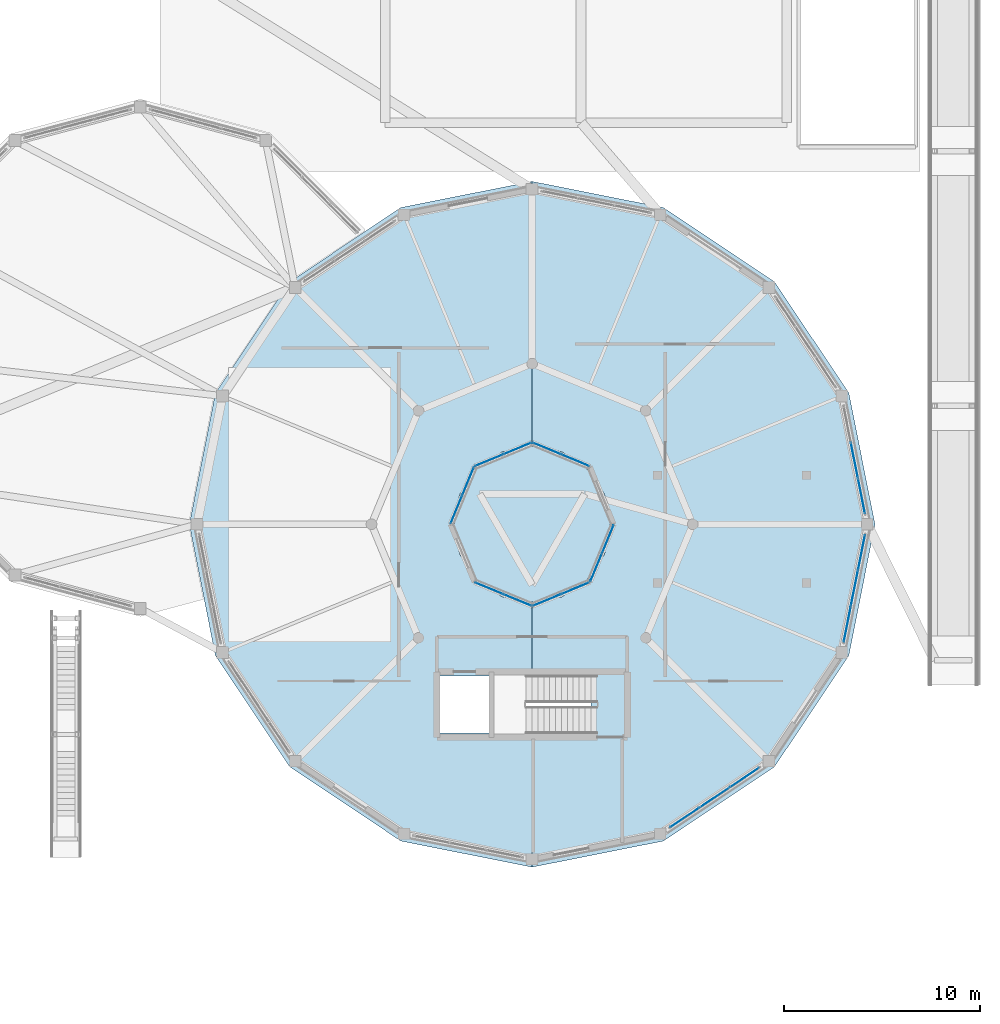
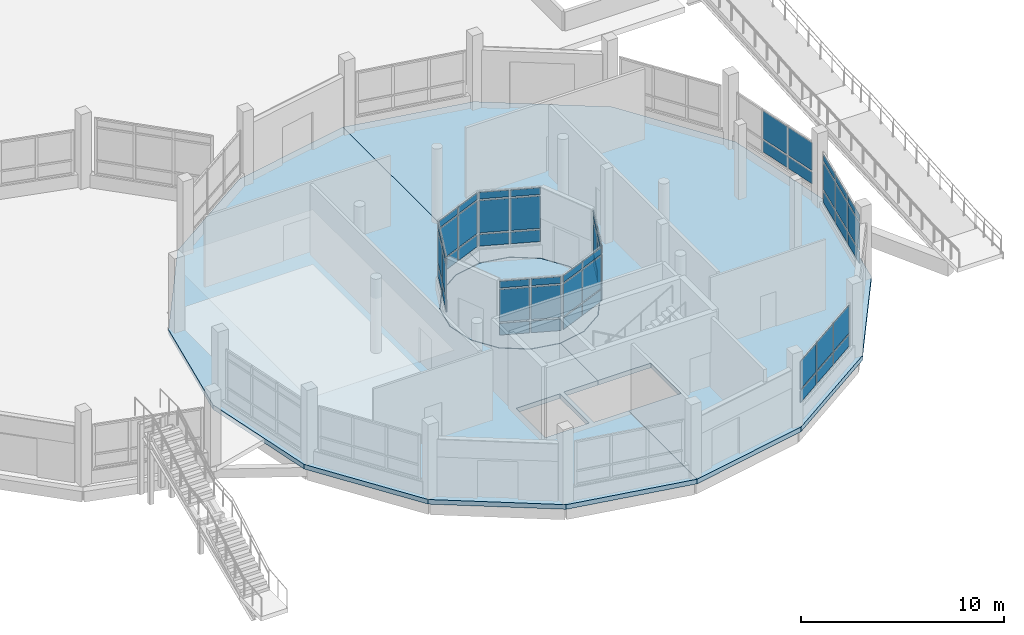
# One storey, part 102 of 129: 55 plates, 3 slabs, 9 elements without a shape of their own.
"""IFC4 building model written with IfcOpenShell, lengths in metres."""

from ifc_helpers import new_model, si_unit, direction, frame, origin, origin_2d, place, context, subcontext, project, spatial, polyline, rectangle, outline, extrude, material, layer, layer_set, type_object, element, aggregate, save


model = new_model("IFC4")

# Units and contexts
model_context = context("Model", 3, precision=1e-05, world=origin(), true_north=direction((0.0, 1.0)))
body_context = subcontext(model_context, "Body", "Model", "MODEL_VIEW")
ifc_project = project(units=[si_unit("LENGTHUNIT", "METRE"), si_unit("AREAUNIT", "SQUARE_METRE"), si_unit("VOLUMEUNIT", "CUBIC_METRE"), si_unit("PLANEANGLEUNIT", "RADIAN"), si_unit("MASSUNIT", "GRAM", prefix="KILO")], contexts=[model_context])

# Site, building, storey
site_placement = place(None, origin())
site = spatial("IfcSite", under=ifc_project, at=site_placement, CompositionType="ELEMENT")
building_placement = place(site_placement, origin())
building = spatial("IfcBuilding", under=site, at=building_placement, Name="Vespera Passage Community Centre", CompositionType="ELEMENT")
storey_placement = place(building_placement, origin())
storey = spatial("IfcBuildingStorey", under=building, at=storey_placement, Name="L00", CompositionType="ELEMENT", Elevation=0.0)

# Curtain wall, plates
ifc_material_1 = material(Name="Anodized aluminium 6063-T6", Category="aluminium")
ifc_layer_1 = layer(ifc_material_1, 0.159912109375)
ifc_layer_set_1 = layer_set([ifc_layer_1], Name="Anodized aluminium 6063-T6")
curtain_wall_type_1 = type_object("IfcCurtainWallType", Name="CW-101E", PredefinedType="NOTDEFINED", material=ifc_layer_set_1)
curtain_wall_1_placement = place(storey_placement, origin())
curtain_wall_1 = element("IfcCurtainWall", 1, at=curtain_wall_1_placement, inside=storey, type_object=curtain_wall_type_1, Name="Dining Drum Ribbon Curtain Wall L00.1", PredefinedType="NOTDEFINED")
ifc_material_2 = material(Name="Low-E insulated vision glass", Category="glass")
ifc_layer_2 = layer(ifc_material_2, 0.02001953125)
ifc_layer_set_2 = layer_set([ifc_layer_2], Name="Low-E insulated vision glass")
plate_type = type_object("IfcPlateType", Name="PL-CWP-20E", PredefinedType="CURTAIN_PANEL", material=ifc_layer_set_2)
plate_1_placement = place(storey_placement, frame((157.44921875, 28.27197265625, 0.89990234375), z_axis=(0.0, 0.0, 1.0), x_axis=(0.195096778691, -0.980783996069, 0.0)))
plate_1 = element("IfcPlate", 2, at=plate_1_placement, type_object=plate_type, Name="CW-101E panel 2.1", PredefinedType="CURTAIN_PANEL", context=body_context, shape_type="SweptSolid", body=[
    extrude(rectangle(XDim=1.82177734375, YDim=0.02001953125, at=origin_2d()), origin(), (0.0, 0.0, 1.0), 0.699951171875),
])
plate_2_placement = place(storey_placement, frame((157.44921875, 28.27197265625, 1.7001953125), z_axis=(0.0, 0.0, 1.0), x_axis=(0.195096778691, -0.980783996069, 0.0)))
plate_2 = element("IfcPlate", 3, at=plate_2_placement, type_object=plate_type, Name="CW-101E panel 2.2", PredefinedType="CURTAIN_PANEL", context=body_context, shape_type="SweptSolid", body=[
    extrude(rectangle(XDim=1.82177734375, YDim=0.02001953125, at=origin_2d()), origin(), (0.0, 0.0, 1.0), 1.675048828125),
])
plate_3_placement = place(storey_placement, frame((157.81396484375, 26.4375, 0.89990234375), z_axis=(0.0, 0.0, 1.0), x_axis=(0.195096778691, -0.980783996069, 0.0)))
plate_3 = element("IfcPlate", 4, at=plate_3_placement, type_object=plate_type, Name="CW-101E panel 3.1", PredefinedType="CURTAIN_PANEL", context=body_context, shape_type="SweptSolid", body=[
    extrude(rectangle(XDim=1.789306640625, YDim=0.02001953125, at=origin_2d()), origin(), (0.0, 0.0, 1.0), 0.699951171875),
])
plate_4_placement = place(storey_placement, frame((157.81396484375, 26.4375, 1.7001953125), z_axis=(0.0, 0.0, 1.0), x_axis=(0.195096778691, -0.980783996069, 0.0)))
plate_4 = element("IfcPlate", 5, at=plate_4_placement, type_object=plate_type, Name="CW-101E panel 3.2", PredefinedType="CURTAIN_PANEL", context=body_context, shape_type="SweptSolid", body=[
    extrude(rectangle(XDim=1.789306640625, YDim=0.02001953125, at=origin_2d()), origin(), (0.0, 0.0, 1.0), 1.675048828125),
])
aggregate(curtain_wall_1, [plate_1, plate_2, plate_3, plate_4])

ifc_material_3 = material(Name="Anodized aluminium 6063-T6", Category="aluminium")
ifc_layer_3 = layer(ifc_material_3, 0.159912109375)
ifc_layer_set_3 = layer_set([ifc_layer_3], Name="Anodized aluminium 6063-T6")
curtain_wall_type_2 = type_object("IfcCurtainWallType", Name="CW-102E", PredefinedType="NOTDEFINED", material=ifc_layer_set_3)
curtain_wall_2_placement = place(storey_placement, origin())
curtain_wall_2 = element("IfcCurtainWall", 6, at=curtain_wall_2_placement, inside=storey, type_object=curtain_wall_type_2, Name="Dining Drum Ribbon Curtain Wall L00.14", PredefinedType="NOTDEFINED")
plate_5_placement = place(storey_placement, frame((151.842529296875, 12.073974609375, 0.89990234375), z_axis=(0.0, 0.0, 1.0), x_axis=(-0.831473308708, -0.555564700918, 0.0)))
plate_5 = element("IfcPlate", 7, at=plate_5_placement, type_object=plate_type, Name="CW-102E panel 1.1", PredefinedType="CURTAIN_PANEL", context=body_context, shape_type="SweptSolid", body=[
    extrude(rectangle(XDim=1.752685546875, YDim=0.02001953125, at=origin_2d()), origin(), (0.0, 0.0, 1.0), 0.699951171875),
])
plate_6_placement = place(storey_placement, frame((151.842529296875, 12.073974609375, 1.7001953125), z_axis=(0.0, 0.0, 1.0), x_axis=(-0.831473308708, -0.555564700918, 0.0)))
plate_6 = element("IfcPlate", 8, at=plate_6_placement, type_object=plate_type, Name="CW-102E panel 1.2", PredefinedType="CURTAIN_PANEL", context=body_context, shape_type="SweptSolid", body=[
    extrude(rectangle(XDim=1.752685546875, YDim=0.02001953125, at=origin_2d()), origin(), (0.0, 0.0, 1.0), 1.675048828125),
])
plate_7_placement = place(storey_placement, frame((150.317626953125, 11.05517578125, 0.89990234375), z_axis=(0.0, 0.0, 1.0), x_axis=(-0.831473308708, -0.555564700918, 0.0)))
plate_7 = element("IfcPlate", 9, at=plate_7_placement, type_object=plate_type, Name="CW-102E panel 2.1", PredefinedType="CURTAIN_PANEL", context=body_context, shape_type="SweptSolid", body=[
    extrude(rectangle(XDim=1.78515625, YDim=0.02001953125, at=origin_2d()), origin(), (0.0, 0.0, 1.0), 0.699951171875),
])
plate_8_placement = place(storey_placement, frame((150.317626953125, 11.05517578125, 1.7001953125), z_axis=(0.0, 0.0, 1.0), x_axis=(-0.831473308708, -0.555564700918, 0.0)))
plate_8 = element("IfcPlate", 10, at=plate_8_placement, type_object=plate_type, Name="CW-102E panel 2.2", PredefinedType="CURTAIN_PANEL", context=body_context, shape_type="SweptSolid", body=[
    extrude(rectangle(XDim=1.78515625, YDim=0.02001953125, at=origin_2d()), origin(), (0.0, 0.0, 1.0), 1.675048828125),
])
plate_9_placement = place(storey_placement, frame((148.79296875, 10.036376953125, 0.89990234375), z_axis=(0.0, 0.0, 1.0), x_axis=(-0.831473308708, -0.555564700918, 0.0)))
plate_9 = element("IfcPlate", 11, at=plate_9_placement, type_object=plate_type, Name="CW-102E panel 3.1", PredefinedType="CURTAIN_PANEL", context=body_context, shape_type="SweptSolid", body=[
    extrude(rectangle(XDim=1.752685546875, YDim=0.02001953125, at=origin_2d()), origin(), (0.0, 0.0, 1.0), 0.699951171875),
])
plate_10_placement = place(storey_placement, frame((148.79296875, 10.036376953125, 1.7001953125), z_axis=(0.0, 0.0, 1.0), x_axis=(-0.831473308708, -0.555564700918, 0.0)))
plate_10 = element("IfcPlate", 12, at=plate_10_placement, type_object=plate_type, Name="CW-102E panel 3.2", PredefinedType="CURTAIN_PANEL", context=body_context, shape_type="SweptSolid", body=[
    extrude(rectangle(XDim=1.752685546875, YDim=0.02001953125, at=origin_2d()), origin(), (0.0, 0.0, 1.0), 1.675048828125),
])
aggregate(curtain_wall_2, [plate_5, plate_6, plate_7, plate_8, plate_9, plate_10])

ifc_material_4 = material(Name="Anodized aluminium 6063-T6", Category="aluminium")
ifc_layer_4 = layer(ifc_material_4, 0.159912109375)
ifc_layer_set_4 = layer_set([ifc_layer_4], Name="Anodized aluminium 6063-T6")
curtain_wall_type_3 = type_object("IfcCurtainWallType", Name="CW-103E", PredefinedType="NOTDEFINED", material=ifc_layer_set_4)
curtain_wall_3_placement = place(storey_placement, origin())
curtain_wall_3 = element("IfcCurtainWall", 13, at=curtain_wall_3_placement, inside=storey, type_object=curtain_wall_type_3, Name="Dining Drum Ribbon Curtain Wall L00.16", PredefinedType="NOTDEFINED")
plate_11_placement = place(storey_placement, frame((157.81396484375, 23.5625, 0.4501953125), z_axis=(0.0, 0.0, 1.0), x_axis=(-0.195096778691, -0.980783996069, 0.0)))
plate_11 = element("IfcPlate", 14, at=plate_11_placement, type_object=plate_type, Name="CW-103E panel 1.1", PredefinedType="CURTAIN_PANEL", context=body_context, shape_type="SweptSolid", body=[
    extrude(rectangle(XDim=1.789306640625, YDim=0.02001953125, at=origin_2d()), origin(), (0.0, 0.0, 1.0), 0.699951171875),
])
plate_12_placement = place(storey_placement, frame((157.81396484375, 23.5625, 1.25), z_axis=(0.0, 0.0, 1.0), x_axis=(-0.195096778691, -0.980783996069, 0.0)))
plate_12 = element("IfcPlate", 15, at=plate_12_placement, type_object=plate_type, Name="CW-103E panel 1.2", PredefinedType="CURTAIN_PANEL", context=body_context, shape_type="SweptSolid", body=[
    extrude(rectangle(XDim=1.789306640625, YDim=0.02001953125, at=origin_2d()), origin(), (0.0, 0.0, 1.0), 1.625),
])
plate_13_placement = place(storey_placement, frame((157.81396484375, 23.5625, 2.97509765625), z_axis=(0.0, 0.0, 1.0), x_axis=(-0.195096778691, -0.980783996069, 0.0)))
plate_13 = element("IfcPlate", 16, at=plate_13_placement, type_object=plate_type, Name="CW-103E panel 1.3", PredefinedType="CURTAIN_PANEL", context=body_context, shape_type="SweptSolid", body=[
    extrude(rectangle(XDim=1.789306640625, YDim=0.02001953125, at=origin_2d()), origin(), (0.0, 0.0, 1.0), 0.39990234375),
])
plate_14_placement = place(storey_placement, frame((157.44921875, 21.72802734375, 0.4501953125), z_axis=(0.0, 0.0, 1.0), x_axis=(-0.195096778691, -0.980783996069, 0.0)))
plate_14 = element("IfcPlate", 17, at=plate_14_placement, type_object=plate_type, Name="CW-103E panel 2.1", PredefinedType="CURTAIN_PANEL", context=body_context, shape_type="SweptSolid", body=[
    extrude(rectangle(XDim=1.82177734375, YDim=0.02001953125, at=origin_2d()), origin(), (0.0, 0.0, 1.0), 0.699951171875),
])
plate_15_placement = place(storey_placement, frame((157.44921875, 21.72802734375, 1.25), z_axis=(0.0, 0.0, 1.0), x_axis=(-0.195096778691, -0.980783996069, 0.0)))
plate_15 = element("IfcPlate", 18, at=plate_15_placement, type_object=plate_type, Name="CW-103E panel 2.2", PredefinedType="CURTAIN_PANEL", context=body_context, shape_type="SweptSolid", body=[
    extrude(rectangle(XDim=1.82177734375, YDim=0.02001953125, at=origin_2d()), origin(), (0.0, 0.0, 1.0), 1.625),
])
plate_16_placement = place(storey_placement, frame((157.44921875, 21.72802734375, 2.97509765625), z_axis=(0.0, 0.0, 1.0), x_axis=(-0.195096778691, -0.980783996069, 0.0)))
plate_16 = element("IfcPlate", 19, at=plate_16_placement, type_object=plate_type, Name="CW-103E panel 2.3", PredefinedType="CURTAIN_PANEL", context=body_context, shape_type="SweptSolid", body=[
    extrude(rectangle(XDim=1.82177734375, YDim=0.02001953125, at=origin_2d()), origin(), (0.0, 0.0, 1.0), 0.39990234375),
])
plate_17_placement = place(storey_placement, frame((157.084228515625, 19.8935546875, 0.4501953125), z_axis=(0.0, 0.0, 1.0), x_axis=(-0.195096778691, -0.980783996069, 0.0)))
plate_17 = element("IfcPlate", 20, at=plate_17_placement, type_object=plate_type, Name="CW-103E panel 3.1", PredefinedType="CURTAIN_PANEL", context=body_context, shape_type="SweptSolid", body=[
    extrude(rectangle(XDim=1.789306640625, YDim=0.02001953125, at=origin_2d()), origin(), (0.0, 0.0, 1.0), 0.699951171875),
])
plate_18_placement = place(storey_placement, frame((157.084228515625, 19.8935546875, 1.25), z_axis=(0.0, 0.0, 1.0), x_axis=(-0.195096778691, -0.980783996069, 0.0)))
plate_18 = element("IfcPlate", 21, at=plate_18_placement, type_object=plate_type, Name="CW-103E panel 3.2", PredefinedType="CURTAIN_PANEL", context=body_context, shape_type="SweptSolid", body=[
    extrude(rectangle(XDim=1.789306640625, YDim=0.02001953125, at=origin_2d()), origin(), (0.0, 0.0, 1.0), 1.625),
])
plate_19_placement = place(storey_placement, frame((157.084228515625, 19.8935546875, 2.97509765625), z_axis=(0.0, 0.0, 1.0), x_axis=(-0.195096778691, -0.980783996069, 0.0)))
plate_19 = element("IfcPlate", 22, at=plate_19_placement, type_object=plate_type, Name="CW-103E panel 3.3", PredefinedType="CURTAIN_PANEL", context=body_context, shape_type="SweptSolid", body=[
    extrude(rectangle(XDim=1.789306640625, YDim=0.02001953125, at=origin_2d()), origin(), (0.0, 0.0, 1.0), 0.39990234375),
])
aggregate(curtain_wall_3, [plate_11, plate_12, plate_13, plate_14, plate_15, plate_16, plate_17, plate_18, plate_19])

ifc_material_5 = material(Name="Anodized aluminium 6063-T6", Category="aluminium")
ifc_layer_5 = layer(ifc_material_5, 0.159912109375)
ifc_layer_set_5 = layer_set([ifc_layer_5], Name="Anodized aluminium 6063-T6")
curtain_wall_type_4 = type_object("IfcCurtainWallType", Name="CW-104E", PredefinedType="NOTDEFINED", material=ifc_layer_set_5)
curtain_wall_4_placement = place(storey_placement, origin())
curtain_wall_4 = element("IfcCurtainWall", 23, at=curtain_wall_4_placement, inside=storey, type_object=curtain_wall_type_4, Name="V3 L00 Inner Court Ribbon Curtain Wall 2", PredefinedType="NOTDEFINED")
plate_20_placement = place(storey_placement, frame((143.20166015625, 28.26806640625, 0.89990234375), z_axis=(0.0, 0.0, 1.0), x_axis=(-0.923878540804, 0.382685826549, 0.0)))
plate_20 = element("IfcPlate", 24, at=plate_20_placement, type_object=plate_type, Name="CW-104E panel 1.1", PredefinedType="CURTAIN_PANEL", context=body_context, shape_type="SweptSolid", body=[
    extrude(rectangle(XDim=1.502197265625, YDim=0.02001953125, at=origin_2d()), origin(), (0.0, 0.0, 1.0), 0.699951171875),
])
plate_21_placement = place(storey_placement, frame((143.20166015625, 28.26806640625, 1.699951171875), z_axis=(0.0, 0.0, 1.0), x_axis=(-0.923878540804, 0.382685826549, 0.0)))
plate_21 = element("IfcPlate", 25, at=plate_21_placement, type_object=plate_type, Name="CW-104E panel 1.2", PredefinedType="CURTAIN_PANEL", context=body_context, shape_type="SweptSolid", body=[
    extrude(rectangle(XDim=1.502197265625, YDim=0.02001953125, at=origin_2d()), origin(), (0.0, 0.0, 1.0), 1.93994140625),
])
plate_22_placement = place(storey_placement, frame((143.20166015625, 28.26806640625, 3.739990234375), z_axis=(0.0, 0.0, 1.0), x_axis=(-0.923878540804, 0.382685826549, 0.0)))
plate_22 = element("IfcPlate", 26, at=plate_22_placement, type_object=plate_type, Name="CW-104E panel 1.3", PredefinedType="CURTAIN_PANEL", context=body_context, shape_type="SweptSolid", body=[
    extrude(rectangle(XDim=1.502197265625, YDim=0.02001953125, at=origin_2d()), origin(), (0.0, 0.0, 1.0), 0.39990234375),
])
plate_23_placement = place(storey_placement, frame((141.75390625, 28.86767578125, 0.89990234375), z_axis=(0.0, 0.0, 1.0), x_axis=(-0.923878540804, 0.382685826549, 0.0)))
plate_23 = element("IfcPlate", 27, at=plate_23_placement, type_object=plate_type, Name="CW-104E panel 2.1", PredefinedType="CURTAIN_PANEL", context=body_context, shape_type="SweptSolid", body=[
    extrude(rectangle(XDim=1.502197265625, YDim=0.02001953125, at=origin_2d()), origin(), (0.0, 0.0, 1.0), 0.699951171875),
])
plate_24_placement = place(storey_placement, frame((141.75390625, 28.86767578125, 1.699951171875), z_axis=(0.0, 0.0, 1.0), x_axis=(-0.923878540804, 0.382685826549, 0.0)))
plate_24 = element("IfcPlate", 28, at=plate_24_placement, type_object=plate_type, Name="CW-104E panel 2.2", PredefinedType="CURTAIN_PANEL", context=body_context, shape_type="SweptSolid", body=[
    extrude(rectangle(XDim=1.502197265625, YDim=0.02001953125, at=origin_2d()), origin(), (0.0, 0.0, 1.0), 1.93994140625),
])
plate_25_placement = place(storey_placement, frame((141.75390625, 28.86767578125, 3.739990234375), z_axis=(0.0, 0.0, 1.0), x_axis=(-0.923878540804, 0.382685826549, 0.0)))
plate_25 = element("IfcPlate", 29, at=plate_25_placement, type_object=plate_type, Name="CW-104E panel 2.3", PredefinedType="CURTAIN_PANEL", context=body_context, shape_type="SweptSolid", body=[
    extrude(rectangle(XDim=1.502197265625, YDim=0.02001953125, at=origin_2d()), origin(), (0.0, 0.0, 1.0), 0.39990234375),
])
aggregate(curtain_wall_4, [plate_20, plate_21, plate_22, plate_23, plate_24, plate_25])

curtain_wall_5_placement = place(storey_placement, origin())
curtain_wall_5 = element("IfcCurtainWall", 30, at=curtain_wall_5_placement, inside=storey, type_object=curtain_wall_type_4, Name="V3 L00 Inner Court Ribbon Curtain Wall 3", PredefinedType="NOTDEFINED")
plate_26_placement = place(storey_placement, frame((140.24609375, 28.86767578125, 0.89990234375), z_axis=(0.0, 0.0, 1.0), x_axis=(-0.923878540804, -0.382685826549, 0.0)))
plate_26 = element("IfcPlate", 31, at=plate_26_placement, type_object=plate_type, Name="CW-104E panel 1.1", PredefinedType="CURTAIN_PANEL", context=body_context, shape_type="SweptSolid", body=[
    extrude(rectangle(XDim=1.502197265625, YDim=0.02001953125, at=origin_2d()), origin(), (0.0, 0.0, 1.0), 0.699951171875),
])
plate_27_placement = place(storey_placement, frame((140.24609375, 28.86767578125, 1.699951171875), z_axis=(0.0, 0.0, 1.0), x_axis=(-0.923878540804, -0.382685826549, 0.0)))
plate_27 = element("IfcPlate", 32, at=plate_27_placement, type_object=plate_type, Name="CW-104E panel 1.2", PredefinedType="CURTAIN_PANEL", context=body_context, shape_type="SweptSolid", body=[
    extrude(rectangle(XDim=1.502197265625, YDim=0.02001953125, at=origin_2d()), origin(), (0.0, 0.0, 1.0), 1.93994140625),
])
plate_28_placement = place(storey_placement, frame((140.24609375, 28.86767578125, 3.739990234375), z_axis=(0.0, 0.0, 1.0), x_axis=(-0.923878540804, -0.382685826549, 0.0)))
plate_28 = element("IfcPlate", 33, at=plate_28_placement, type_object=plate_type, Name="CW-104E panel 1.3", PredefinedType="CURTAIN_PANEL", context=body_context, shape_type="SweptSolid", body=[
    extrude(rectangle(XDim=1.502197265625, YDim=0.02001953125, at=origin_2d()), origin(), (0.0, 0.0, 1.0), 0.39990234375),
])
plate_29_placement = place(storey_placement, frame((138.79833984375, 28.26806640625, 0.89990234375), z_axis=(0.0, 0.0, 1.0), x_axis=(-0.923878540804, -0.382685826549, 0.0)))
plate_29 = element("IfcPlate", 34, at=plate_29_placement, type_object=plate_type, Name="CW-104E panel 2.1", PredefinedType="CURTAIN_PANEL", context=body_context, shape_type="SweptSolid", body=[
    extrude(rectangle(XDim=1.502197265625, YDim=0.02001953125, at=origin_2d()), origin(), (0.0, 0.0, 1.0), 0.699951171875),
])
plate_30_placement = place(storey_placement, frame((138.79833984375, 28.26806640625, 1.699951171875), z_axis=(0.0, 0.0, 1.0), x_axis=(-0.923878540804, -0.382685826549, 0.0)))
plate_30 = element("IfcPlate", 35, at=plate_30_placement, type_object=plate_type, Name="CW-104E panel 2.2", PredefinedType="CURTAIN_PANEL", context=body_context, shape_type="SweptSolid", body=[
    extrude(rectangle(XDim=1.502197265625, YDim=0.02001953125, at=origin_2d()), origin(), (0.0, 0.0, 1.0), 1.93994140625),
])
plate_31_placement = place(storey_placement, frame((138.79833984375, 28.26806640625, 3.739990234375), z_axis=(0.0, 0.0, 1.0), x_axis=(-0.923878540804, -0.382685826549, 0.0)))
plate_31 = element("IfcPlate", 36, at=plate_31_placement, type_object=plate_type, Name="CW-104E panel 2.3", PredefinedType="CURTAIN_PANEL", context=body_context, shape_type="SweptSolid", body=[
    extrude(rectangle(XDim=1.502197265625, YDim=0.02001953125, at=origin_2d()), origin(), (0.0, 0.0, 1.0), 0.39990234375),
])
aggregate(curtain_wall_5, [plate_26, plate_27, plate_28, plate_29, plate_30, plate_31])

curtain_wall_6_placement = place(storey_placement, origin())
curtain_wall_6 = element("IfcCurtainWall", 37, at=curtain_wall_6_placement, inside=storey, type_object=curtain_wall_type_4, Name="V3 L00 Inner Court Ribbon Curtain Wall 4", PredefinedType="NOTDEFINED")
plate_32_placement = place(storey_placement, frame((137.73193359375, 27.20166015625, 0.89990234375), z_axis=(0.0, 0.0, 1.0), x_axis=(-0.382685826549, -0.923878540804, 0.0)))
plate_32 = element("IfcPlate", 38, at=plate_32_placement, type_object=plate_type, Name="CW-104E panel 1.1", PredefinedType="CURTAIN_PANEL", context=body_context, shape_type="SweptSolid", body=[
    extrude(rectangle(XDim=1.502197265625, YDim=0.02001953125, at=origin_2d()), origin(), (0.0, 0.0, 1.0), 0.699951171875),
])
plate_33_placement = place(storey_placement, frame((137.73193359375, 27.20166015625, 1.699951171875), z_axis=(0.0, 0.0, 1.0), x_axis=(-0.382685826549, -0.923878540804, 0.0)))
plate_33 = element("IfcPlate", 39, at=plate_33_placement, type_object=plate_type, Name="CW-104E panel 1.2", PredefinedType="CURTAIN_PANEL", context=body_context, shape_type="SweptSolid", body=[
    extrude(rectangle(XDim=1.502197265625, YDim=0.02001953125, at=origin_2d()), origin(), (0.0, 0.0, 1.0), 1.93994140625),
])
plate_34_placement = place(storey_placement, frame((137.73193359375, 27.20166015625, 3.739990234375), z_axis=(0.0, 0.0, 1.0), x_axis=(-0.382685826549, -0.923878540804, 0.0)))
plate_34 = element("IfcPlate", 40, at=plate_34_placement, type_object=plate_type, Name="CW-104E panel 1.3", PredefinedType="CURTAIN_PANEL", context=body_context, shape_type="SweptSolid", body=[
    extrude(rectangle(XDim=1.502197265625, YDim=0.02001953125, at=origin_2d()), origin(), (0.0, 0.0, 1.0), 0.39990234375),
])
plate_35_placement = place(storey_placement, frame((137.13232421875, 25.75390625, 0.89990234375), z_axis=(0.0, 0.0, 1.0), x_axis=(-0.382685826549, -0.923878540804, 0.0)))
plate_35 = element("IfcPlate", 41, at=plate_35_placement, type_object=plate_type, Name="CW-104E panel 2.1", PredefinedType="CURTAIN_PANEL", context=body_context, shape_type="SweptSolid", body=[
    extrude(rectangle(XDim=1.502197265625, YDim=0.02001953125, at=origin_2d()), origin(), (0.0, 0.0, 1.0), 0.699951171875),
])
plate_36_placement = place(storey_placement, frame((137.13232421875, 25.75390625, 1.699951171875), z_axis=(0.0, 0.0, 1.0), x_axis=(-0.382685826549, -0.923878540804, 0.0)))
plate_36 = element("IfcPlate", 42, at=plate_36_placement, type_object=plate_type, Name="CW-104E panel 2.2", PredefinedType="CURTAIN_PANEL", context=body_context, shape_type="SweptSolid", body=[
    extrude(rectangle(XDim=1.502197265625, YDim=0.02001953125, at=origin_2d()), origin(), (0.0, 0.0, 1.0), 1.93994140625),
])
plate_37_placement = place(storey_placement, frame((137.13232421875, 25.75390625, 3.739990234375), z_axis=(0.0, 0.0, 1.0), x_axis=(-0.382685826549, -0.923878540804, 0.0)))
plate_37 = element("IfcPlate", 43, at=plate_37_placement, type_object=plate_type, Name="CW-104E panel 2.3", PredefinedType="CURTAIN_PANEL", context=body_context, shape_type="SweptSolid", body=[
    extrude(rectangle(XDim=1.502197265625, YDim=0.02001953125, at=origin_2d()), origin(), (0.0, 0.0, 1.0), 0.39990234375),
])
aggregate(curtain_wall_6, [plate_32, plate_33, plate_34, plate_35, plate_36, plate_37])

curtain_wall_7_placement = place(storey_placement, origin())
curtain_wall_7 = element("IfcCurtainWall", 44, at=curtain_wall_7_placement, inside=storey, type_object=curtain_wall_type_4, Name="V3 L00 Inner Court Ribbon Curtain Wall 6", PredefinedType="NOTDEFINED")
plate_38_placement = place(storey_placement, frame((138.79833984375, 21.73193359375, 0.89990234375), z_axis=(0.0, 0.0, 1.0), x_axis=(0.923878540804, -0.382685826549, 0.0)))
plate_38 = element("IfcPlate", 45, at=plate_38_placement, type_object=plate_type, Name="CW-104E panel 1.1", PredefinedType="CURTAIN_PANEL", context=body_context, shape_type="SweptSolid", body=[
    extrude(rectangle(XDim=1.502197265625, YDim=0.02001953125, at=origin_2d()), origin(), (0.0, 0.0, 1.0), 0.699951171875),
])
plate_39_placement = place(storey_placement, frame((138.79833984375, 21.73193359375, 1.699951171875), z_axis=(0.0, 0.0, 1.0), x_axis=(0.923878540804, -0.382685826549, 0.0)))
plate_39 = element("IfcPlate", 46, at=plate_39_placement, type_object=plate_type, Name="CW-104E panel 1.2", PredefinedType="CURTAIN_PANEL", context=body_context, shape_type="SweptSolid", body=[
    extrude(rectangle(XDim=1.502197265625, YDim=0.02001953125, at=origin_2d()), origin(), (0.0, 0.0, 1.0), 1.93994140625),
])
plate_40_placement = place(storey_placement, frame((138.79833984375, 21.73193359375, 3.739990234375), z_axis=(0.0, 0.0, 1.0), x_axis=(0.923878540804, -0.382685826549, 0.0)))
plate_40 = element("IfcPlate", 47, at=plate_40_placement, type_object=plate_type, Name="CW-104E panel 1.3", PredefinedType="CURTAIN_PANEL", context=body_context, shape_type="SweptSolid", body=[
    extrude(rectangle(XDim=1.502197265625, YDim=0.02001953125, at=origin_2d()), origin(), (0.0, 0.0, 1.0), 0.39990234375),
])
plate_41_placement = place(storey_placement, frame((140.24609375, 21.13232421875, 0.89990234375), z_axis=(0.0, 0.0, 1.0), x_axis=(0.923878540804, -0.382685826549, 0.0)))
plate_41 = element("IfcPlate", 48, at=plate_41_placement, type_object=plate_type, Name="CW-104E panel 2.1", PredefinedType="CURTAIN_PANEL", context=body_context, shape_type="SweptSolid", body=[
    extrude(rectangle(XDim=1.502197265625, YDim=0.02001953125, at=origin_2d()), origin(), (0.0, 0.0, 1.0), 0.699951171875),
])
plate_42_placement = place(storey_placement, frame((140.24609375, 21.13232421875, 1.699951171875), z_axis=(0.0, 0.0, 1.0), x_axis=(0.923878540804, -0.382685826549, 0.0)))
plate_42 = element("IfcPlate", 49, at=plate_42_placement, type_object=plate_type, Name="CW-104E panel 2.2", PredefinedType="CURTAIN_PANEL", context=body_context, shape_type="SweptSolid", body=[
    extrude(rectangle(XDim=1.502197265625, YDim=0.02001953125, at=origin_2d()), origin(), (0.0, 0.0, 1.0), 1.93994140625),
])
plate_43_placement = place(storey_placement, frame((140.24609375, 21.13232421875, 3.739990234375), z_axis=(0.0, 0.0, 1.0), x_axis=(0.923878540804, -0.382685826549, 0.0)))
plate_43 = element("IfcPlate", 50, at=plate_43_placement, type_object=plate_type, Name="CW-104E panel 2.3", PredefinedType="CURTAIN_PANEL", context=body_context, shape_type="SweptSolid", body=[
    extrude(rectangle(XDim=1.502197265625, YDim=0.02001953125, at=origin_2d()), origin(), (0.0, 0.0, 1.0), 0.39990234375),
])
aggregate(curtain_wall_7, [plate_38, plate_39, plate_40, plate_41, plate_42, plate_43])

curtain_wall_8_placement = place(storey_placement, origin())
curtain_wall_8 = element("IfcCurtainWall", 51, at=curtain_wall_8_placement, inside=storey, type_object=curtain_wall_type_4, Name="V3 L00 Inner Court Ribbon Curtain Wall 7", PredefinedType="NOTDEFINED")
plate_44_placement = place(storey_placement, frame((141.75390625, 21.13232421875, 0.89990234375), z_axis=(0.0, 0.0, 1.0), x_axis=(0.923878540804, 0.382685826549, 0.0)))
plate_44 = element("IfcPlate", 52, at=plate_44_placement, type_object=plate_type, Name="CW-104E panel 1.1", PredefinedType="CURTAIN_PANEL", context=body_context, shape_type="SweptSolid", body=[
    extrude(rectangle(XDim=1.502197265625, YDim=0.02001953125, at=origin_2d()), origin(), (0.0, 0.0, 1.0), 0.699951171875),
])
plate_45_placement = place(storey_placement, frame((141.75390625, 21.13232421875, 1.699951171875), z_axis=(0.0, 0.0, 1.0), x_axis=(0.923878540804, 0.382685826549, 0.0)))
plate_45 = element("IfcPlate", 53, at=plate_45_placement, type_object=plate_type, Name="CW-104E panel 1.2", PredefinedType="CURTAIN_PANEL", context=body_context, shape_type="SweptSolid", body=[
    extrude(rectangle(XDim=1.502197265625, YDim=0.02001953125, at=origin_2d()), origin(), (0.0, 0.0, 1.0), 1.93994140625),
])
plate_46_placement = place(storey_placement, frame((141.75390625, 21.13232421875, 3.739990234375), z_axis=(0.0, 0.0, 1.0), x_axis=(0.923878540804, 0.382685826549, 0.0)))
plate_46 = element("IfcPlate", 54, at=plate_46_placement, type_object=plate_type, Name="CW-104E panel 1.3", PredefinedType="CURTAIN_PANEL", context=body_context, shape_type="SweptSolid", body=[
    extrude(rectangle(XDim=1.502197265625, YDim=0.02001953125, at=origin_2d()), origin(), (0.0, 0.0, 1.0), 0.39990234375),
])
plate_47_placement = place(storey_placement, frame((143.20166015625, 21.73193359375, 0.89990234375), z_axis=(0.0, 0.0, 1.0), x_axis=(0.923878540804, 0.382685826549, 0.0)))
plate_47 = element("IfcPlate", 55, at=plate_47_placement, type_object=plate_type, Name="CW-104E panel 2.1", PredefinedType="CURTAIN_PANEL", context=body_context, shape_type="SweptSolid", body=[
    extrude(rectangle(XDim=1.502197265625, YDim=0.02001953125, at=origin_2d()), origin(), (0.0, 0.0, 1.0), 0.699951171875),
])
plate_48_placement = place(storey_placement, frame((143.20166015625, 21.73193359375, 1.699951171875), z_axis=(0.0, 0.0, 1.0), x_axis=(0.923878540804, 0.382685826549, 0.0)))
plate_48 = element("IfcPlate", 56, at=plate_48_placement, type_object=plate_type, Name="CW-104E panel 2.2", PredefinedType="CURTAIN_PANEL", context=body_context, shape_type="SweptSolid", body=[
    extrude(rectangle(XDim=1.502197265625, YDim=0.02001953125, at=origin_2d()), origin(), (0.0, 0.0, 1.0), 1.93994140625),
])
plate_49_placement = place(storey_placement, frame((143.20166015625, 21.73193359375, 3.739990234375), z_axis=(0.0, 0.0, 1.0), x_axis=(0.923878540804, 0.382685826549, 0.0)))
plate_49 = element("IfcPlate", 57, at=plate_49_placement, type_object=plate_type, Name="CW-104E panel 2.3", PredefinedType="CURTAIN_PANEL", context=body_context, shape_type="SweptSolid", body=[
    extrude(rectangle(XDim=1.502197265625, YDim=0.02001953125, at=origin_2d()), origin(), (0.0, 0.0, 1.0), 0.39990234375),
])
aggregate(curtain_wall_8, [plate_44, plate_45, plate_46, plate_47, plate_48, plate_49])

curtain_wall_9_placement = place(storey_placement, origin())
curtain_wall_9 = element("IfcCurtainWall", 58, at=curtain_wall_9_placement, inside=storey, type_object=curtain_wall_type_4, Name="V3 L00 Inner Court Ribbon Curtain Wall 8", PredefinedType="NOTDEFINED")
plate_50_placement = place(storey_placement, frame((144.26806640625, 22.79833984375, 0.89990234375), z_axis=(0.0, 0.0, 1.0), x_axis=(0.382685826549, 0.923878540804, 0.0)))
plate_50 = element("IfcPlate", 59, at=plate_50_placement, type_object=plate_type, Name="CW-104E panel 1.1", PredefinedType="CURTAIN_PANEL", context=body_context, shape_type="SweptSolid", body=[
    extrude(rectangle(XDim=1.502197265625, YDim=0.02001953125, at=origin_2d()), origin(), (0.0, 0.0, 1.0), 0.699951171875),
])
plate_51_placement = place(storey_placement, frame((144.26806640625, 22.79833984375, 1.699951171875), z_axis=(0.0, 0.0, 1.0), x_axis=(0.382685826549, 0.923878540804, 0.0)))
plate_51 = element("IfcPlate", 60, at=plate_51_placement, type_object=plate_type, Name="CW-104E panel 1.2", PredefinedType="CURTAIN_PANEL", context=body_context, shape_type="SweptSolid", body=[
    extrude(rectangle(XDim=1.502197265625, YDim=0.02001953125, at=origin_2d()), origin(), (0.0, 0.0, 1.0), 1.93994140625),
])
plate_52_placement = place(storey_placement, frame((144.26806640625, 22.79833984375, 3.739990234375), z_axis=(0.0, 0.0, 1.0), x_axis=(0.382685826549, 0.923878540804, 0.0)))
plate_52 = element("IfcPlate", 61, at=plate_52_placement, type_object=plate_type, Name="CW-104E panel 1.3", PredefinedType="CURTAIN_PANEL", context=body_context, shape_type="SweptSolid", body=[
    extrude(rectangle(XDim=1.502197265625, YDim=0.02001953125, at=origin_2d()), origin(), (0.0, 0.0, 1.0), 0.39990234375),
])
plate_53_placement = place(storey_placement, frame((144.86767578125, 24.24609375, 0.89990234375), z_axis=(0.0, 0.0, 1.0), x_axis=(0.382685826549, 0.923878540804, 0.0)))
plate_53 = element("IfcPlate", 62, at=plate_53_placement, type_object=plate_type, Name="CW-104E panel 2.1", PredefinedType="CURTAIN_PANEL", context=body_context, shape_type="SweptSolid", body=[
    extrude(rectangle(XDim=1.502197265625, YDim=0.02001953125, at=origin_2d()), origin(), (0.0, 0.0, 1.0), 0.699951171875),
])
plate_54_placement = place(storey_placement, frame((144.86767578125, 24.24609375, 1.699951171875), z_axis=(0.0, 0.0, 1.0), x_axis=(0.382685826549, 0.923878540804, 0.0)))
plate_54 = element("IfcPlate", 63, at=plate_54_placement, type_object=plate_type, Name="CW-104E panel 2.2", PredefinedType="CURTAIN_PANEL", context=body_context, shape_type="SweptSolid", body=[
    extrude(rectangle(XDim=1.502197265625, YDim=0.02001953125, at=origin_2d()), origin(), (0.0, 0.0, 1.0), 1.93994140625),
])
plate_55_placement = place(storey_placement, frame((144.86767578125, 24.24609375, 3.739990234375), z_axis=(0.0, 0.0, 1.0), x_axis=(0.382685826549, 0.923878540804, 0.0)))
plate_55 = element("IfcPlate", 64, at=plate_55_placement, type_object=plate_type, Name="CW-104E panel 2.3", PredefinedType="CURTAIN_PANEL", context=body_context, shape_type="SweptSolid", body=[
    extrude(rectangle(XDim=1.502197265625, YDim=0.02001953125, at=origin_2d()), origin(), (0.0, 0.0, 1.0), 0.39990234375),
])
aggregate(curtain_wall_9, [plate_50, plate_51, plate_52, plate_53, plate_54, plate_55])

# Slabs
ifc_material_6 = material(Name="Concrete f'c 35 MPa", Category="concrete")
ifc_layer_6 = layer(ifc_material_6, 0.280029296875)
ifc_layer_set_6 = layer_set([ifc_layer_6], Name="Concrete f'c 35 MPa")
slab_type_1 = type_object("IfcSlabType", Name="SL-DRUM-280", PredefinedType="FLOOR", material=ifc_layer_set_6)
slab_1_placement = place(storey_placement, frame((0.0, 0.0, -0.280029296875)))
element("IfcSlab", 65, at=slab_1_placement, inside=storey, type_object=slab_type_1, Name="V3 L00 W Sector Slab", PredefinedType="FLOOR", context=body_context, shape_type="SweptSolid", body=[
    extrude(outline(polyline([(124.83203125, 18.302978515625), (123.5, 25.0), (124.83203125, 31.697021484375), (128.62548828125, 37.37451171875), (134.302978515625, 41.16796875), (141.0, 42.5), (141.0, 29.0), (139.46923828125, 28.695556640625), (138.171630859375, 27.828369140625), (137.304443359375, 26.53076171875), (137.0, 25.0), (137.304443359375, 23.46923828125), (138.171630859375, 22.171630859375), (139.46923828125, 21.304443359375), (141.0, 21.0), (141.0, 17.300048828125), (139.044921875, 17.300048828125), (139.044921875, 14.300048828125), (141.0, 14.300048828125), (141.0, 7.5), (134.302978515625, 8.83203125), (128.62548828125, 12.62548828125), (124.83203125, 18.302978515625)]), holes=[polyline([(136.304931640625, 17.25), (136.304931640625, 14.35009765625), (138.804931640625, 14.35009765625), (138.804931640625, 17.25), (136.304931640625, 17.25)])]), origin(), (0.0, 0.0, 1.0), 0.280029296875),
])
slab_2_placement = place(storey_placement, frame((0.0, 0.0, -0.280029296875)))
element("IfcSlab", 66, at=slab_2_placement, inside=storey, type_object=slab_type_1, Name="V3 L00 E Sector Slab", PredefinedType="FLOOR", context=body_context, shape_type="SweptSolid", body=[
    extrude(outline(polyline([(147.697021484375, 8.83203125), (141.0, 7.5), (141.0, 14.300048828125), (144.014892578125, 14.300048828125), (144.014892578125, 17.300048828125), (141.0, 17.300048828125), (141.0, 21.0), (142.53076171875, 21.304443359375), (143.828369140625, 22.171630859375), (144.695556640625, 23.46923828125), (145.0, 25.0), (144.695556640625, 26.53076171875), (143.828369140625, 27.828369140625), (142.53076171875, 28.695556640625), (141.0, 29.0), (141.0, 42.5), (147.697021484375, 41.16796875), (153.37451171875, 37.37451171875), (157.16796875, 31.697021484375), (158.5, 25.0), (157.16796875, 18.302978515625), (153.37451171875, 12.62548828125), (147.697021484375, 8.83203125)])), origin(), (0.0, 0.0, 1.0), 0.280029296875),
])
ifc_material_7 = material(Name="Concrete f'c 35 MPa", Category="concrete")
ifc_layer_7 = layer(ifc_material_7, 0.340087890625)
ifc_layer_set_7 = layer_set([ifc_layer_7], Name="Concrete f'c 35 MPa")
slab_type_2 = type_object("IfcSlabType", Name="SL-PLAZA-340E", PredefinedType="FLOOR", material=ifc_layer_set_7)
slab_3_placement = place(storey_placement, frame((0.0, 0.0, -0.340087890625)))
element("IfcSlab", 67, at=slab_3_placement, inside=storey, type_object=slab_type_2, Name="V3 L00 Inner Planted Courtyard Paving Slab", PredefinedType="FLOOR", context=body_context, shape_type="SweptSolid", body=[
    extrude(outline(polyline([(144.97998046875, 25.0), (144.677001953125, 26.523193359375), (143.814208984375, 27.814208984375), (142.523193359375, 28.677001953125), (141.0, 28.97998046875), (139.476806640625, 28.677001953125), (138.185791015625, 27.814208984375), (137.322998046875, 26.523193359375), (137.02001953125, 25.0), (137.322998046875, 23.476806640625), (138.185791015625, 22.185791015625), (139.476806640625, 21.322998046875), (141.0, 21.02001953125), (142.523193359375, 21.322998046875), (143.814208984375, 22.185791015625), (144.677001953125, 23.476806640625), (144.97998046875, 25.0)])), origin(), (0.0, 0.0, 1.0), 0.340087890625),
])

save(model, "model.ifc")
